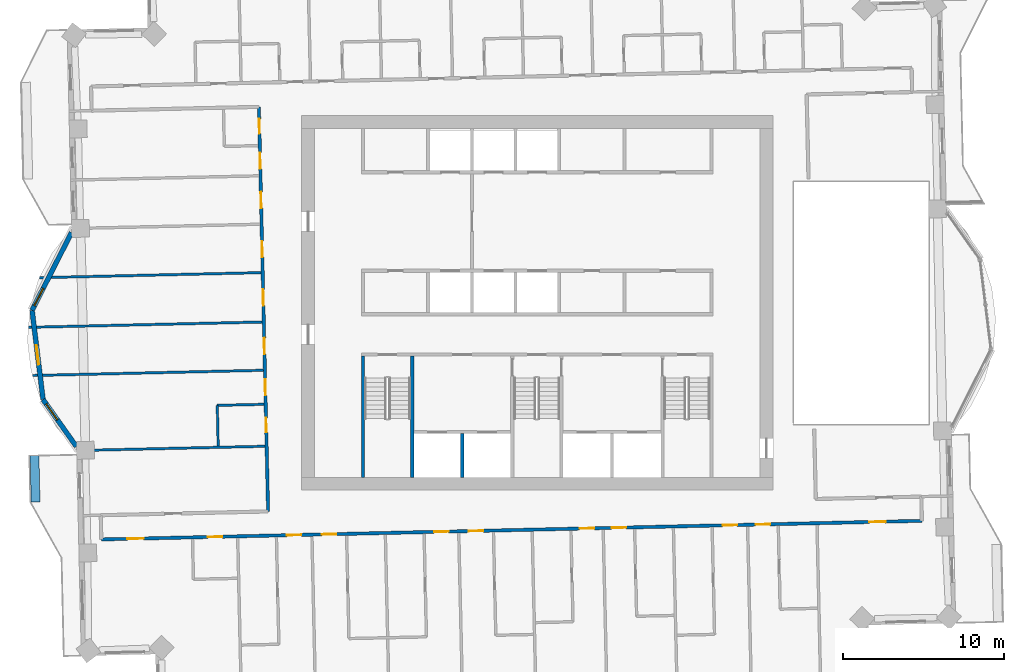
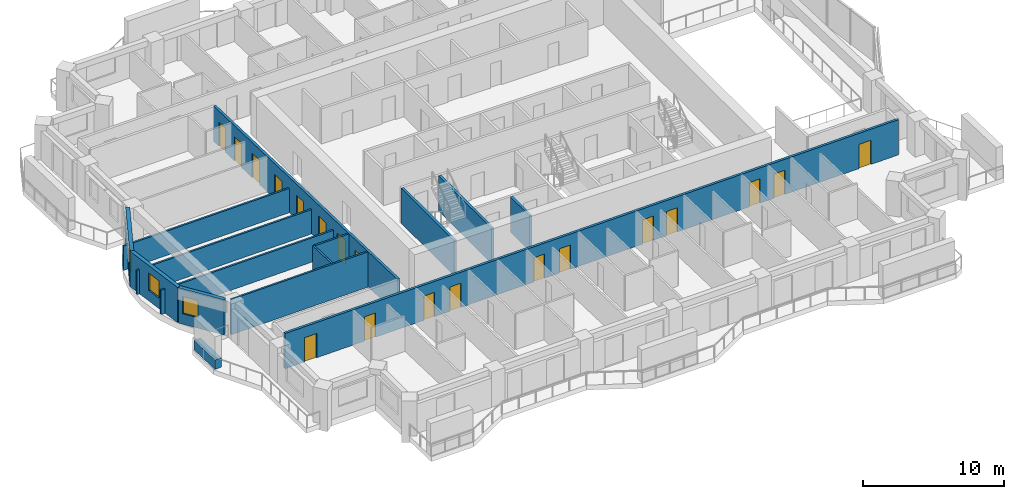
# One storey, part 7 of 17: 19 doors, 15 walls, 3 windows, 22 openings.
"""IFC4 building model written with IfcOpenShell, lengths in metres."""

from ifc_helpers import new_model, si_unit, direction, frame, frame_2d, origin, place, context, subcontext, project, spatial, rectangle, extrude, material, layer, layer_set, type_object, element, fill, save


model = new_model("IFC4")

# Units and contexts
model_context = context("Model", 3, precision=1e-05, world=origin(), true_north=direction((0.0, 1.0)))
body_context = subcontext(model_context, "Body", "Model", "MODEL_VIEW")
ifc_project = project(units=[si_unit("LENGTHUNIT", "METRE"), si_unit("AREAUNIT", "SQUARE_METRE"), si_unit("VOLUMEUNIT", "CUBIC_METRE"), si_unit("PLANEANGLEUNIT", "RADIAN"), si_unit("MASSUNIT", "GRAM", prefix="KILO")], contexts=[model_context])

# Site, building, storey
site_placement = place(None, origin())
site = spatial("IfcSite", under=ifc_project, at=site_placement, CompositionType="ELEMENT")
building_placement = place(site_placement, origin())
building = spatial("IfcBuilding", under=site, at=building_placement, Name="Mangrove Gate Tower", CompositionType="ELEMENT")
storey_placement = place(building_placement, frame((0.0, 0.0, 238.300048828125)))
storey = spatial("IfcBuildingStorey", under=building, at=storey_placement, Name="L60", CompositionType="ELEMENT", Elevation=238.300048828125)

# Walls
ifc_material_1 = material(Name="Concrete C60/75", Category="concrete")
ifc_layer_1 = layer(ifc_material_1, 0.199951171875)
ifc_layer_set_1 = layer_set([ifc_layer_1], Name="Core shaft wall 200 C60/75")
wall_type_1 = type_object("IfcWallType", Name="Core shaft wall 200 C60/75", PredefinedType="SHEAR", material=ifc_layer_set_1)
wall_1_placement = place(storey_placement, frame((-4.64990234375, -10.800048828125, 0.0), z_axis=(0.0, 0.0, 1.0), x_axis=(0.0, 1.0, 0.0)))
element("IfcWall", 1, at=wall_1_placement, inside=storey, type_object=wall_type_1, Name="WALL-L60-CORE-16", PredefinedType="SHEAR", context=body_context, shape_type="SweptSolid", body=[
    extrude(rectangle(XDim=2.699951171875, YDim=0.199951171875, at=frame_2d((1.35009765625, 0.0))), origin(), (0.0, 0.0, 1.0), 3.050048828125),
])
ifc_material_2 = material(Name="Concrete C60/75", Category="concrete")
ifc_layer_2 = layer(ifc_material_2, 0.199951171875)
ifc_layer_set_2 = layer_set([ifc_layer_2], Name="Core stair wall 200 C60/75")
wall_type_2 = type_object("IfcWallType", Name="Core stair wall 200 C60/75", PredefinedType="SHEAR", material=ifc_layer_set_2)
for number, where, z_axis, x_axis, name in (
    (2, (-10.800048828125, -10.800048828125, 0.0), (0.0, 0.0, 1.0), (0.0, 1.0, 0.0), "WALL-L60-CORE-9"),
    (3, (-7.75, -10.800048828125, 0.0), (0.0, 0.0, 1.0), (0.0, 1.0, 0.0), "WALL-L60-CORE-10"),
):
    element("IfcWall", number, at=place(storey_placement, frame(where, z_axis=z_axis, x_axis=x_axis)), inside=storey, type_object=wall_type_2, Name=name, PredefinedType="SHEAR", context=body_context, shape_type="SweptSolid", body=[
        extrude(rectangle(XDim=7.5, YDim=0.199951171875, at=frame_2d((3.75, 0.0))), origin(), (0.0, 0.0, 1.0), 3.050048828125),
    ])

# Wall, openings, doors
ifc_material_3 = material(Name="Gypsum board on steel stud, EI 60", Category="steel")
ifc_layer_3 = layer(ifc_material_3, 0.199951171875)
ifc_layer_set_3 = layer_set([ifc_layer_3], Name="Corridor wall EI 60")
wall_type_3 = type_object("IfcWallType", Name="Corridor wall EI 60", PredefinedType="PARTITIONING", material=ifc_layer_set_3)
wall_2_placement = place(storey_placement, frame((-27.01611328125, -14.64990234375, 0.0), z_axis=(0.0, 0.0, 1.0), x_axis=(0.999742623033, 0.022686729391, 0.0)))
wall_2 = element("IfcWall", 4, at=wall_2_placement, inside=storey, type_object=wall_type_3, Name="WALL-L60-029", PredefinedType="PARTITIONING", context=body_context, shape_type="SweptSolid", body=[
    extrude(rectangle(XDim=50.8583984375, YDim=0.199951171875, at=frame_2d((25.42919921875, 0.0))), origin(), (0.0, 0.0, 1.0), 3.050048828125),
])
opening_1_placement = place(wall_2_placement, frame((1.625, 0.0, 0.0)))
opening_1 = element("IfcOpeningElement", 5, at=opening_1_placement, cuts=wall_2, Name="Opening AD", PredefinedType="OPENING", context=body_context, shape_type="SweptSolid", body=[
    extrude(rectangle(XDim=1.0, YDim=2.10009765625, at=frame_2d((0.5, 1.050048828125))), frame((0.0, 0.10986328125, 0.0), z_axis=(0.0, -1.0, 0.0), x_axis=(1.0, 0.0, 0.0)), (0.0, 0.0, 1.0), 0.219970703125),
])
opening_2_placement = place(wall_2_placement, frame((6.60009765625, 0.0, 0.0)))
opening_2 = element("IfcOpeningElement", 6, at=opening_2_placement, cuts=wall_2, Name="Opening SD", PredefinedType="OPENING", context=body_context, shape_type="SweptSolid", body=[
    extrude(rectangle(XDim=0.89990234375, YDim=2.10009765625, at=frame_2d((0.449951171875, 1.050048828125))), frame((0.0, 0.10986328125, 0.0), z_axis=(0.0, -1.0, 0.0), x_axis=(1.0, 0.0, 0.0)), (0.0, 0.0, 1.0), 0.219970703125),
])
opening_3_placement = place(wall_2_placement, frame((11.5, 0.0, 0.0)))
opening_3 = element("IfcOpeningElement", 7, at=opening_3_placement, cuts=wall_2, Name="Opening BD", PredefinedType="OPENING", context=body_context, shape_type="SweptSolid", body=[
    extrude(rectangle(XDim=0.89990234375, YDim=2.10009765625, at=frame_2d((0.449951171875, 1.050048828125))), frame((0.0, 0.10986328125, 0.0), z_axis=(0.0, -1.0, 0.0), x_axis=(1.0, 0.0, 0.0)), (0.0, 0.0, 1.0), 0.219970703125),
])
opening_4_placement = place(wall_2_placement, frame((13.675048828125, 0.0, 0.0)))
opening_4 = element("IfcOpeningElement", 8, at=opening_4_placement, cuts=wall_2, Name="Opening BD", PredefinedType="OPENING", context=body_context, shape_type="SweptSolid", body=[
    extrude(rectangle(XDim=0.89990234375, YDim=2.10009765625, at=frame_2d((0.449951171875, 1.050048828125))), frame((0.0, 0.10986328125, 0.0), z_axis=(0.0, -1.0, 0.0), x_axis=(1.0, 0.0, 0.0)), (0.0, 0.0, 1.0), 0.219970703125),
])
opening_5_placement = place(wall_2_placement, frame((20.625, 0.0, 0.0)))
opening_5 = element("IfcOpeningElement", 9, at=opening_5_placement, cuts=wall_2, Name="Opening BD", PredefinedType="OPENING", context=body_context, shape_type="SweptSolid", body=[
    extrude(rectangle(XDim=0.89990234375, YDim=2.10009765625, at=frame_2d((0.449951171875, 1.050048828125))), frame((0.0, 0.10986328125, 0.0), z_axis=(0.0, -1.0, 0.0), x_axis=(1.0, 0.0, 0.0)), (0.0, 0.0, 1.0), 0.219970703125),
])
opening_6_placement = place(wall_2_placement, frame((22.77490234375, 0.0, 0.0)))
opening_6 = element("IfcOpeningElement", 10, at=opening_6_placement, cuts=wall_2, Name="Opening BD", PredefinedType="OPENING", context=body_context, shape_type="SweptSolid", body=[
    extrude(rectangle(XDim=0.89990234375, YDim=2.10009765625, at=frame_2d((0.449951171875, 1.050048828125))), frame((0.0, 0.10986328125, 0.0), z_axis=(0.0, -1.0, 0.0), x_axis=(1.0, 0.0, 0.0)), (0.0, 0.0, 1.0), 0.219970703125),
])
opening_7_placement = place(wall_2_placement, frame((29.64990234375, 0.0, 0.0)))
opening_7 = element("IfcOpeningElement", 11, at=opening_7_placement, cuts=wall_2, Name="Opening BD", PredefinedType="OPENING", context=body_context, shape_type="SweptSolid", body=[
    extrude(rectangle(XDim=0.89990234375, YDim=2.10009765625, at=frame_2d((0.449951171875, 1.050048828125))), frame((0.0, 0.10986328125, 0.0), z_axis=(0.0, -1.0, 0.0), x_axis=(1.0, 0.0, 0.0)), (0.0, 0.0, 1.0), 0.219970703125),
])
opening_8_placement = place(wall_2_placement, frame((31.625, 0.0, 0.0)))
opening_8 = element("IfcOpeningElement", 12, at=opening_8_placement, cuts=wall_2, Name="Opening BD", PredefinedType="OPENING", context=body_context, shape_type="SweptSolid", body=[
    extrude(rectangle(XDim=0.89990234375, YDim=2.10009765625, at=frame_2d((0.449951171875, 1.050048828125))), frame((0.0, 0.10986328125, 0.0), z_axis=(0.0, -1.0, 0.0), x_axis=(1.0, 0.0, 0.0)), (0.0, 0.0, 1.0), 0.219970703125),
])
opening_9_placement = place(wall_2_placement, frame((38.5, 0.0, 0.0)))
opening_9 = element("IfcOpeningElement", 13, at=opening_9_placement, cuts=wall_2, Name="Opening BD", PredefinedType="OPENING", context=body_context, shape_type="SweptSolid", body=[
    extrude(rectangle(XDim=0.89990234375, YDim=2.10009765625, at=frame_2d((0.449951171875, 1.050048828125))), frame((0.0, 0.10986328125, 0.0), z_axis=(0.0, -1.0, 0.0), x_axis=(1.0, 0.0, 0.0)), (0.0, 0.0, 1.0), 0.219970703125),
])
opening_10_placement = place(wall_2_placement, frame((40.550048828125, 0.0, 0.0)))
opening_10 = element("IfcOpeningElement", 14, at=opening_10_placement, cuts=wall_2, Name="Opening BD", PredefinedType="OPENING", context=body_context, shape_type="SweptSolid", body=[
    extrude(rectangle(XDim=0.89990234375, YDim=2.10009765625, at=frame_2d((0.449951171875, 1.050048828125))), frame((0.0, 0.10986328125, 0.0), z_axis=(0.0, -1.0, 0.0), x_axis=(1.0, 0.0, 0.0)), (0.0, 0.0, 1.0), 0.219970703125),
])
opening_11_placement = place(wall_2_placement, frame((47.60107421875, 0.0, 0.0)))
opening_11 = element("IfcOpeningElement", 15, at=opening_11_placement, cuts=wall_2, Name="Opening AD", PredefinedType="OPENING", context=body_context, shape_type="SweptSolid", body=[
    extrude(rectangle(XDim=1.0, YDim=2.10009765625, at=frame_2d((0.5, 1.050048828125))), frame((0.0, 0.10986328125, 0.0), z_axis=(0.0, -1.0, 0.0), x_axis=(1.0, 0.0, 0.0)), (0.0, 0.0, 1.0), 0.219970703125),
])
ifc_material_4 = material(Name="Timber door leaf", Category="wood")
door_type_1 = type_object("IfcDoorType", Name="Amenity door 1000", OperationType="SINGLE_SWING_LEFT", PredefinedType="DOOR", material=ifc_material_4)
door_1_placement = place(opening_1_placement, origin())
door_1 = element("IfcDoor", 16, at=door_1_placement, inside=storey, type_object=door_type_1, Name="DOOR-L60-KIT-c1a", OperationType="SINGLE_SWING_LEFT", OverallHeight=2.10009765625, OverallWidth=1.0, PredefinedType="DOOR", context=body_context, shape_type="SweptSolid", body=[
    extrude(rectangle(XDim=1.0, YDim=2.10009765625, at=frame_2d((0.5, 1.050048828125))), frame((0.0, 0.02490234375, 0.0), z_axis=(0.0, -1.0, 0.0), x_axis=(1.0, 0.0, 0.0)), (0.0, 0.0, 1.0), 0.050048828125),
])
fill(opening_1, door_1)
door_2_placement = place(opening_11_placement, origin())
door_2 = element("IfcDoor", 17, at=door_2_placement, inside=storey, type_object=door_type_1, Name="DOOR-L60-STU-c3a", OperationType="SINGLE_SWING_RIGHT", OverallHeight=2.10009765625, OverallWidth=1.0, PredefinedType="DOOR", context=body_context, shape_type="SweptSolid", body=[
    extrude(rectangle(XDim=1.0, YDim=2.10009765625, at=frame_2d((0.5, 1.050048828125))), frame((0.0, 0.02490234375, 0.0), z_axis=(0.0, -1.0, 0.0), x_axis=(1.0, 0.0, 0.0)), (0.0, 0.0, 1.0), 0.050048828125),
])
fill(opening_11, door_2)
ifc_material_5 = material(Name="Timber door leaf", Category="wood")
door_type_2 = type_object("IfcDoorType", Name="Bedroom door 900", OperationType="SINGLE_SWING_LEFT", PredefinedType="DOOR", material=ifc_material_5)
door_3_placement = place(opening_3_placement, origin())
door_3 = element("IfcDoor", 18, at=door_3_placement, inside=storey, type_object=door_type_2, Name="DOOR-L60-BED-c101", OperationType="SINGLE_SWING_LEFT", OverallHeight=2.10009765625, OverallWidth=0.89990234375, PredefinedType="DOOR", context=body_context, shape_type="SweptSolid", body=[
    extrude(rectangle(XDim=0.89990234375, YDim=2.10009765625, at=frame_2d((0.449951171875, 1.050048828125))), frame((0.0, 0.02490234375, 0.0), z_axis=(0.0, -1.0, 0.0), x_axis=(1.0, 0.0, 0.0)), (0.0, 0.0, 1.0), 0.050048828125),
])
fill(opening_3, door_3)
door_4_placement = place(opening_4_placement, origin())
door_4 = element("IfcDoor", 19, at=door_4_placement, inside=storey, type_object=door_type_2, Name="DOOR-L60-BED-c102", OperationType="SINGLE_SWING_RIGHT", OverallHeight=2.10009765625, OverallWidth=0.89990234375, PredefinedType="DOOR", context=body_context, shape_type="SweptSolid", body=[
    extrude(rectangle(XDim=0.89990234375, YDim=2.10009765625, at=frame_2d((0.449951171875, 1.050048828125))), frame((0.0, 0.02490234375, 0.0), z_axis=(0.0, -1.0, 0.0), x_axis=(1.0, 0.0, 0.0)), (0.0, 0.0, 1.0), 0.050048828125),
])
fill(opening_4, door_4)
door_5_placement = place(opening_5_placement, origin())
door_5 = element("IfcDoor", 20, at=door_5_placement, inside=storey, type_object=door_type_2, Name="DOOR-L60-BED-c103", OperationType="SINGLE_SWING_LEFT", OverallHeight=2.10009765625, OverallWidth=0.89990234375, PredefinedType="DOOR", context=body_context, shape_type="SweptSolid", body=[
    extrude(rectangle(XDim=0.89990234375, YDim=2.10009765625, at=frame_2d((0.449951171875, 1.050048828125))), frame((0.0, 0.02490234375, 0.0), z_axis=(0.0, -1.0, 0.0), x_axis=(1.0, 0.0, 0.0)), (0.0, 0.0, 1.0), 0.050048828125),
])
fill(opening_5, door_5)
door_6_placement = place(opening_6_placement, origin())
door_6 = element("IfcDoor", 21, at=door_6_placement, inside=storey, type_object=door_type_2, Name="DOOR-L60-BED-c104", OperationType="SINGLE_SWING_RIGHT", OverallHeight=2.10009765625, OverallWidth=0.89990234375, PredefinedType="DOOR", context=body_context, shape_type="SweptSolid", body=[
    extrude(rectangle(XDim=0.89990234375, YDim=2.10009765625, at=frame_2d((0.449951171875, 1.050048828125))), frame((0.0, 0.02490234375, 0.0), z_axis=(0.0, -1.0, 0.0), x_axis=(1.0, 0.0, 0.0)), (0.0, 0.0, 1.0), 0.050048828125),
])
fill(opening_6, door_6)
door_7_placement = place(opening_7_placement, origin())
door_7 = element("IfcDoor", 22, at=door_7_placement, inside=storey, type_object=door_type_2, Name="DOOR-L60-BED-c205", OperationType="SINGLE_SWING_LEFT", OverallHeight=2.10009765625, OverallWidth=0.89990234375, PredefinedType="DOOR", context=body_context, shape_type="SweptSolid", body=[
    extrude(rectangle(XDim=0.89990234375, YDim=2.10009765625, at=frame_2d((0.449951171875, 1.050048828125))), frame((0.0, 0.02490234375, 0.0), z_axis=(0.0, -1.0, 0.0), x_axis=(1.0, 0.0, 0.0)), (0.0, 0.0, 1.0), 0.050048828125),
])
fill(opening_7, door_7)
door_8_placement = place(opening_8_placement, origin())
door_8 = element("IfcDoor", 23, at=door_8_placement, inside=storey, type_object=door_type_2, Name="DOOR-L60-BED-c206", OperationType="SINGLE_SWING_RIGHT", OverallHeight=2.10009765625, OverallWidth=0.89990234375, PredefinedType="DOOR", context=body_context, shape_type="SweptSolid", body=[
    extrude(rectangle(XDim=0.89990234375, YDim=2.10009765625, at=frame_2d((0.449951171875, 1.050048828125))), frame((0.0, 0.02490234375, 0.0), z_axis=(0.0, -1.0, 0.0), x_axis=(1.0, 0.0, 0.0)), (0.0, 0.0, 1.0), 0.050048828125),
])
fill(opening_8, door_8)
door_9_placement = place(opening_9_placement, origin())
door_9 = element("IfcDoor", 24, at=door_9_placement, inside=storey, type_object=door_type_2, Name="DOOR-L60-BED-c207", OperationType="SINGLE_SWING_LEFT", OverallHeight=2.10009765625, OverallWidth=0.89990234375, PredefinedType="DOOR", context=body_context, shape_type="SweptSolid", body=[
    extrude(rectangle(XDim=0.89990234375, YDim=2.10009765625, at=frame_2d((0.449951171875, 1.050048828125))), frame((0.0, 0.02490234375, 0.0), z_axis=(0.0, -1.0, 0.0), x_axis=(1.0, 0.0, 0.0)), (0.0, 0.0, 1.0), 0.050048828125),
])
fill(opening_9, door_9)
door_10_placement = place(opening_10_placement, origin())
door_10 = element("IfcDoor", 25, at=door_10_placement, inside=storey, type_object=door_type_2, Name="DOOR-L60-BED-c308", OperationType="SINGLE_SWING_RIGHT", OverallHeight=2.10009765625, OverallWidth=0.89990234375, PredefinedType="DOOR", context=body_context, shape_type="SweptSolid", body=[
    extrude(rectangle(XDim=0.89990234375, YDim=2.10009765625, at=frame_2d((0.449951171875, 1.050048828125))), frame((0.0, 0.02490234375, 0.0), z_axis=(0.0, -1.0, 0.0), x_axis=(1.0, 0.0, 0.0)), (0.0, 0.0, 1.0), 0.050048828125),
])
fill(opening_10, door_10)
ifc_material_6 = material(Name="Timber door leaf", Category="wood")
door_type_3 = type_object("IfcDoorType", Name="Service room door 900", OperationType="SINGLE_SWING_LEFT", PredefinedType="DOOR", material=ifc_material_6)
door_11_placement = place(opening_2_placement, origin())
door_11 = element("IfcDoor", 26, at=door_11_placement, inside=storey, type_object=door_type_3, Name="DOOR-L60-LDY-c1a", OperationType="SINGLE_SWING_LEFT", OverallHeight=2.10009765625, OverallWidth=0.89990234375, PredefinedType="DOOR", context=body_context, shape_type="SweptSolid", body=[
    extrude(rectangle(XDim=0.89990234375, YDim=2.10009765625, at=frame_2d((0.449951171875, 1.050048828125))), frame((0.0, 0.02490234375, 0.0), z_axis=(0.0, -1.0, 0.0), x_axis=(1.0, 0.0, 0.0)), (0.0, 0.0, 1.0), 0.050048828125),
])
fill(opening_2, door_11)

wall_3_placement = place(storey_placement, frame((-16.677978515625, -12.9189453125, 0.0), z_axis=(0.0, 0.0, 1.0), x_axis=(-0.022696191528, 0.999742408268, 0.0)))
wall_3 = element("IfcWall", 27, at=wall_3_placement, inside=storey, type_object=wall_type_3, Name="WALL-L60-030", PredefinedType="PARTITIONING", context=body_context, shape_type="SweptSolid", body=[
    extrude(rectangle(XDim=25.07421875, YDim=0.199951171875, at=frame_2d((12.537109375, 0.0))), origin(), (0.0, 0.0, 1.0), 3.050048828125),
])
opening_12_placement = place(wall_3_placement, frame((21.237060546875, 0.0, 0.0)))
opening_12 = element("IfcOpeningElement", 28, at=opening_12_placement, cuts=wall_3, Name="Opening AD", PredefinedType="OPENING", context=body_context, shape_type="SweptSolid", body=[
    extrude(rectangle(XDim=1.0, YDim=2.10009765625, at=frame_2d((0.5, 1.050048828125))), frame((0.0, 0.10986328125, 0.0), z_axis=(0.0, -1.0, 0.0), x_axis=(1.0, 0.0, 0.0)), (0.0, 0.0, 1.0), 0.219970703125),
])
opening_13_placement = place(wall_3_placement, frame((23.424072265625, 0.0, 0.0)))
opening_13 = element("IfcOpeningElement", 29, at=opening_13_placement, cuts=wall_3, Name="Opening SD", PredefinedType="OPENING", context=body_context, shape_type="SweptSolid", body=[
    extrude(rectangle(XDim=0.89990234375, YDim=2.10009765625, at=frame_2d((0.449951171875, 1.050048828125))), frame((0.0, 0.10986328125, 0.0), z_axis=(0.0, -1.0, 0.0), x_axis=(1.0, 0.0, 0.0)), (0.0, 0.0, 1.0), 0.219970703125),
])
opening_14_placement = place(wall_3_placement, frame((18.799072265625, 0.0, 0.0)))
opening_14 = element("IfcOpeningElement", 30, at=opening_14_placement, cuts=wall_3, Name="Opening AD", PredefinedType="OPENING", context=body_context, shape_type="SweptSolid", body=[
    extrude(rectangle(XDim=1.0, YDim=2.10009765625, at=frame_2d((0.5, 1.050048828125))), frame((0.0, 0.10986328125, 0.0), z_axis=(0.0, -1.0, 0.0), x_axis=(1.0, 0.0, 0.0)), (0.0, 0.0, 1.0), 0.219970703125),
])
opening_15_placement = place(wall_3_placement, frame((15.759033203125, 0.0, 0.0)))
opening_15 = element("IfcOpeningElement", 31, at=opening_15_placement, cuts=wall_3, Name="Opening AD", PredefinedType="OPENING", context=body_context, shape_type="SweptSolid", body=[
    extrude(rectangle(XDim=1.0, YDim=2.10009765625, at=frame_2d((0.5, 1.050048828125))), frame((0.0, 0.10986328125, 0.0), z_axis=(0.0, -1.0, 0.0), x_axis=(1.0, 0.0, 0.0)), (0.0, 0.0, 1.0), 0.219970703125),
])
opening_16_placement = place(wall_3_placement, frame((12.760009765625, 0.0, 0.0)))
opening_16 = element("IfcOpeningElement", 32, at=opening_16_placement, cuts=wall_3, Name="Opening AD", PredefinedType="OPENING", context=body_context, shape_type="SweptSolid", body=[
    extrude(rectangle(XDim=1.0, YDim=2.10009765625, at=frame_2d((0.5, 1.050048828125))), frame((0.0, 0.10986328125, 0.0), z_axis=(0.0, -1.0, 0.0), x_axis=(1.0, 0.0, 0.0)), (0.0, 0.0, 1.0), 0.219970703125),
])
opening_17_placement = place(wall_3_placement, frame((9.751953125, 0.0, 0.0)))
opening_17 = element("IfcOpeningElement", 33, at=opening_17_placement, cuts=wall_3, Name="Opening AD", PredefinedType="OPENING", context=body_context, shape_type="SweptSolid", body=[
    extrude(rectangle(XDim=1.0, YDim=2.10009765625, at=frame_2d((0.5, 1.050048828125))), frame((0.0, 0.10986328125, 0.0), z_axis=(0.0, -1.0, 0.0), x_axis=(1.0, 0.0, 0.0)), (0.0, 0.0, 1.0), 0.219970703125),
])
opening_18_placement = place(wall_3_placement, frame((7.198974609375, 0.0, 0.0)))
opening_18 = element("IfcOpeningElement", 34, at=opening_18_placement, cuts=wall_3, Name="Opening AD", PredefinedType="OPENING", context=body_context, shape_type="SweptSolid", body=[
    extrude(rectangle(XDim=1.0, YDim=2.10009765625, at=frame_2d((0.5, 1.050048828125))), frame((0.0, 0.10986328125, 0.0), z_axis=(0.0, -1.0, 0.0), x_axis=(1.0, 0.0, 0.0)), (0.0, 0.0, 1.0), 0.219970703125),
])
opening_19_placement = place(wall_3_placement, frame((4.89892578125, 0.0, 0.0)))
opening_19 = element("IfcOpeningElement", 35, at=opening_19_placement, cuts=wall_3, Name="Opening SD", PredefinedType="OPENING", context=body_context, shape_type="SweptSolid", body=[
    extrude(rectangle(XDim=0.89990234375, YDim=2.10009765625, at=frame_2d((0.449951171875, 1.050048828125))), frame((0.0, 0.10986328125, 0.0), z_axis=(0.0, -1.0, 0.0), x_axis=(1.0, 0.0, 0.0)), (0.0, 0.0, 1.0), 0.219970703125),
])
door_12_placement = place(opening_12_placement, origin())
door_12 = element("IfcDoor", 36, at=door_12_placement, inside=storey, type_object=door_type_1, Name="DOOR-L60-GAM-c5a", OperationType="SINGLE_SWING_LEFT", OverallHeight=2.10009765625, OverallWidth=1.0, PredefinedType="DOOR", context=body_context, shape_type="SweptSolid", body=[
    extrude(rectangle(XDim=1.0, YDim=2.10009765625, at=frame_2d((0.5, 1.050048828125))), frame((0.0, 0.02490234375, 0.0), z_axis=(0.0, -1.0, 0.0), x_axis=(1.0, 0.0, 0.0)), (0.0, 0.0, 1.0), 0.050048828125),
])
fill(opening_12, door_12)
door_13_placement = place(opening_14_placement, origin())
door_13 = element("IfcDoor", 37, at=door_13_placement, inside=storey, type_object=door_type_1, Name="DOOR-L60-STU-c5a", OperationType="SINGLE_SWING_RIGHT", OverallHeight=2.10009765625, OverallWidth=1.0, PredefinedType="DOOR", context=body_context, shape_type="SweptSolid", body=[
    extrude(rectangle(XDim=1.0, YDim=2.10009765625, at=frame_2d((0.5, 1.050048828125))), frame((0.0, 0.02490234375, 0.0), z_axis=(0.0, -1.0, 0.0), x_axis=(1.0, 0.0, 0.0)), (0.0, 0.0, 1.0), 0.050048828125),
])
fill(opening_14, door_13)
door_14_placement = place(opening_15_placement, origin())
door_14 = element("IfcDoor", 38, at=door_14_placement, inside=storey, type_object=door_type_1, Name="DOOR-L60-STU-c5b", OperationType="SINGLE_SWING_LEFT", OverallHeight=2.10009765625, OverallWidth=1.0, PredefinedType="DOOR", context=body_context, shape_type="SweptSolid", body=[
    extrude(rectangle(XDim=1.0, YDim=2.10009765625, at=frame_2d((0.5, 1.050048828125))), frame((0.0, 0.02490234375, 0.0), z_axis=(0.0, -1.0, 0.0), x_axis=(1.0, 0.0, 0.0)), (0.0, 0.0, 1.0), 0.050048828125),
])
fill(opening_15, door_14)
door_15_placement = place(opening_16_placement, origin())
door_15 = element("IfcDoor", 39, at=door_15_placement, inside=storey, type_object=door_type_1, Name="DOOR-L60-STU-c5c", OperationType="SINGLE_SWING_RIGHT", OverallHeight=2.10009765625, OverallWidth=1.0, PredefinedType="DOOR", context=body_context, shape_type="SweptSolid", body=[
    extrude(rectangle(XDim=1.0, YDim=2.10009765625, at=frame_2d((0.5, 1.050048828125))), frame((0.0, 0.02490234375, 0.0), z_axis=(0.0, -1.0, 0.0), x_axis=(1.0, 0.0, 0.0)), (0.0, 0.0, 1.0), 0.050048828125),
])
fill(opening_16, door_15)
door_16_placement = place(opening_17_placement, origin())
door_16 = element("IfcDoor", 40, at=door_16_placement, inside=storey, type_object=door_type_1, Name="DOOR-L60-STU-c5d", OperationType="SINGLE_SWING_LEFT", OverallHeight=2.10009765625, OverallWidth=1.0, PredefinedType="DOOR", context=body_context, shape_type="SweptSolid", body=[
    extrude(rectangle(XDim=1.0, YDim=2.10009765625, at=frame_2d((0.5, 1.050048828125))), frame((0.0, 0.02490234375, 0.0), z_axis=(0.0, -1.0, 0.0), x_axis=(1.0, 0.0, 0.0)), (0.0, 0.0, 1.0), 0.050048828125),
])
fill(opening_17, door_16)
door_17_placement = place(opening_18_placement, origin())
door_17 = element("IfcDoor", 41, at=door_17_placement, inside=storey, type_object=door_type_1, Name="DOOR-L60-LNG-c5b", OperationType="SINGLE_SWING_RIGHT", OverallHeight=2.10009765625, OverallWidth=1.0, PredefinedType="DOOR", context=body_context, shape_type="SweptSolid", body=[
    extrude(rectangle(XDim=1.0, YDim=2.10009765625, at=frame_2d((0.5, 1.050048828125))), frame((0.0, 0.02490234375, 0.0), z_axis=(0.0, -1.0, 0.0), x_axis=(1.0, 0.0, 0.0)), (0.0, 0.0, 1.0), 0.050048828125),
])
fill(opening_18, door_17)
door_18_placement = place(opening_13_placement, origin())
door_18 = element("IfcDoor", 42, at=door_18_placement, inside=storey, type_object=door_type_3, Name="DOOR-L60-LIN-c5a", OperationType="SINGLE_SWING_RIGHT", OverallHeight=2.10009765625, OverallWidth=0.89990234375, PredefinedType="DOOR", context=body_context, shape_type="SweptSolid", body=[
    extrude(rectangle(XDim=0.89990234375, YDim=2.10009765625, at=frame_2d((0.449951171875, 1.050048828125))), frame((0.0, 0.02490234375, 0.0), z_axis=(0.0, -1.0, 0.0), x_axis=(1.0, 0.0, 0.0)), (0.0, 0.0, 1.0), 0.050048828125),
])
fill(opening_13, door_18)
door_19_placement = place(opening_19_placement, origin())
door_19 = element("IfcDoor", 43, at=door_19_placement, inside=storey, type_object=door_type_3, Name="DOOR-L60-AWC-c5a", OperationType="SINGLE_SWING_LEFT", OverallHeight=2.10009765625, OverallWidth=0.89990234375, PredefinedType="DOOR", context=body_context, shape_type="SweptSolid", body=[
    extrude(rectangle(XDim=0.89990234375, YDim=2.10009765625, at=frame_2d((0.449951171875, 1.050048828125))), frame((0.0, 0.02490234375, 0.0), z_axis=(0.0, -1.0, 0.0), x_axis=(1.0, 0.0, 0.0)), (0.0, 0.0, 1.0), 0.050048828125),
])
fill(opening_19, door_19)

# Wall, opening, window
ifc_material_7 = material(Name="Limestone", Category="masonry")
ifc_layer_4 = layer(ifc_material_7, 0.0400390625, Name="Limestone cladding")
ifc_material_8 = material(Name="Ventilated air gap")
ifc_layer_5 = layer(ifc_material_8, 0.0400390625, Name="Ventilated cavity")
ifc_material_9 = material(Name="Mineral wool insulation")
ifc_layer_6 = layer(ifc_material_9, 0.06005859375, Name="Insulation")
ifc_material_10 = material(Name="Breather membrane")
ifc_layer_7 = layer(ifc_material_10, 0.001953125, Name="Breather membrane")
ifc_material_11 = material(Name="Concrete C20/25 blockwork", Category="masonry")
ifc_layer_8 = layer(ifc_material_11, 0.14990234375, Name="Blockwork backing wall")
ifc_material_12 = material(Name="Gypsum plaster")
ifc_layer_9 = layer(ifc_material_12, 0.008056640625, Name="Internal plaster")
ifc_layer_set_4 = layer_set([ifc_layer_4, ifc_layer_5, ifc_layer_6, ifc_layer_7, ifc_layer_8, ifc_layer_9], Name="External wall 300 limestone cladding")
wall_type_4 = type_object("IfcWallType", Name="External wall 300 limestone cladding", PredefinedType="SOLIDWALL", material=ifc_layer_set_4)
wall_4_placement = place(storey_placement, frame((-28.85693359375, 4.363037109375, 0.0), z_axis=(0.0, 0.0, 1.0), x_axis=(-0.45277700056, -0.891623792731, 0.0)))
wall_4 = element("IfcWall", 44, at=wall_4_placement, inside=storey, type_object=wall_type_4, Name="WALL-L60-W9f1", PredefinedType="SOLIDWALL", context=body_context, shape_type="SweptSolid", body=[
    extrude(rectangle(XDim=5.39794921875, YDim=0.300048828125, at=frame_2d((2.698974609375, 0.0))), origin(), (0.0, 0.0, 1.0), 3.050048828125),
])
opening_20_placement = place(wall_4_placement, frame((3.881103515625, 0.0, 0.89990234375)))
opening_20 = element("IfcOpeningElement", 45, at=opening_20_placement, cuts=wall_4, Name="Opening W1", PredefinedType="OPENING", context=body_context, shape_type="SweptSolid", body=[
    extrude(rectangle(XDim=1.199951171875, YDim=1.5, at=frame_2d((0.60009765625, 0.75))), frame((0.0, 0.159912109375, 0.0), z_axis=(0.0, -1.0, 0.0), x_axis=(1.0, 0.0, 0.0)), (0.0, 0.0, 1.0), 0.320068359375),
])
ifc_material_13 = material(Name="Aluminium frame with double-glazed low-e glass", Category="aluminium")
window_type = type_object("IfcWindowType", Name="Side lite 1200x1500", PartitioningType="SINGLE_PANEL", PredefinedType="WINDOW", material=ifc_material_13)
window_1_placement = place(opening_20_placement, origin())
window_1 = element("IfcWindow", 46, at=window_1_placement, inside=storey, type_object=window_type, Name="WIN-L60-W9f1", OverallHeight=1.5, OverallWidth=1.199951171875, PartitioningType="SINGLE_PANEL", PredefinedType="WINDOW", context=body_context, shape_type="SweptSolid", body=[
    extrude(rectangle(XDim=1.199951171875, YDim=1.5, at=frame_2d((0.60009765625, 0.75))), frame((0.0, 0.030029296875, 0.0), z_axis=(0.0, -1.0, 0.0), x_axis=(1.0, 0.0, 0.0)), (0.0, 0.0, 1.0), 0.06005859375),
])
fill(opening_20, window_1)

wall_5_placement = place(storey_placement, frame((-31.301025390625, -0.449951171875, 0.0), z_axis=(0.0, 0.0, 1.0), x_axis=(0.122163831021, -0.992509948761, 0.0)))
wall_5 = element("IfcWall", 47, at=wall_5_placement, inside=storey, type_object=wall_type_4, Name="WALL-L60-W9f2", PredefinedType="SOLIDWALL", context=body_context, shape_type="SweptSolid", body=[
    extrude(rectangle(XDim=5.57373046875, YDim=0.300048828125, at=frame_2d((2.786865234375, 0.0))), origin(), (0.0, 0.0, 1.0), 3.050048828125),
])
opening_21_placement = place(wall_5_placement, frame((2.18701171875, 0.0, 0.89990234375)))
opening_21 = element("IfcOpeningElement", 48, at=opening_21_placement, cuts=wall_5, Name="Opening W1", PredefinedType="OPENING", context=body_context, shape_type="SweptSolid", body=[
    extrude(rectangle(XDim=1.199951171875, YDim=1.5, at=frame_2d((0.60009765625, 0.75))), frame((0.0, 0.159912109375, 0.0), z_axis=(0.0, -1.0, 0.0), x_axis=(1.0, 0.0, 0.0)), (0.0, 0.0, 1.0), 0.320068359375),
])
window_2_placement = place(opening_21_placement, origin())
window_2 = element("IfcWindow", 49, at=window_2_placement, inside=storey, type_object=window_type, Name="WIN-L60-W9f2", OverallHeight=1.5, OverallWidth=1.199951171875, PartitioningType="SINGLE_PANEL", PredefinedType="WINDOW", context=body_context, shape_type="SweptSolid", body=[
    extrude(rectangle(XDim=1.199951171875, YDim=1.5, at=frame_2d((0.60009765625, 0.75))), frame((0.0, 0.030029296875, 0.0), z_axis=(0.0, -1.0, 0.0), x_axis=(1.0, 0.0, 0.0)), (0.0, 0.0, 1.0), 0.06005859375),
])
fill(opening_21, window_2)

wall_6_placement = place(storey_placement, frame((-30.6201171875, -5.98193359375, 0.0), z_axis=(0.0, 0.0, 1.0), x_axis=(0.578108441206, -0.815959943996, 0.0)))
wall_6 = element("IfcWall", 50, at=wall_6_placement, inside=storey, type_object=wall_type_4, Name="WALL-L60-W9f3", PredefinedType="SOLIDWALL", context=body_context, shape_type="SweptSolid", body=[
    extrude(rectangle(XDim=3.56884765625, YDim=0.300048828125, at=frame_2d((1.784423828125, 0.0))), origin(), (0.0, 0.0, 1.0), 3.050048828125),
])
opening_22_placement = place(wall_6_placement, frame((0.337890625, 0.0, 0.89990234375)))
opening_22 = element("IfcOpeningElement", 51, at=opening_22_placement, cuts=wall_6, Name="Opening W1", PredefinedType="OPENING", context=body_context, shape_type="SweptSolid", body=[
    extrude(rectangle(XDim=1.199951171875, YDim=1.5, at=frame_2d((0.60009765625, 0.75))), frame((0.0, 0.159912109375, 0.0), z_axis=(0.0, -1.0, 0.0), x_axis=(1.0, 0.0, 0.0)), (0.0, 0.0, 1.0), 0.320068359375),
])
window_3_placement = place(opening_22_placement, origin())
window_3 = element("IfcWindow", 52, at=window_3_placement, inside=storey, type_object=window_type, Name="WIN-L60-W9f3", OverallHeight=1.5, OverallWidth=1.199951171875, PartitioningType="SINGLE_PANEL", PredefinedType="WINDOW", context=body_context, shape_type="SweptSolid", body=[
    extrude(rectangle(XDim=1.199951171875, YDim=1.5, at=frame_2d((0.60009765625, 0.75))), frame((0.0, 0.030029296875, 0.0), z_axis=(0.0, -1.0, 0.0), x_axis=(1.0, 0.0, 0.0)), (0.0, 0.0, 1.0), 0.06005859375),
])
fill(opening_22, window_3)

# Walls
ifc_material_14 = material(Name="Gypsum board on steel stud, EI 60", Category="steel")
ifc_layer_10 = layer(ifc_material_14, 0.14990234375)
ifc_layer_set_5 = layer_set([ifc_layer_10], Name="Party wall 150 EI 60")
wall_type_5 = type_object("IfcWallType", Name="Party wall 150 EI 60", PredefinedType="PARTITIONING", material=ifc_layer_set_5)
wall_7_placement = place(storey_placement, frame((-28.240966796875, -9.135986328125, 0.0), z_axis=(0.0, 0.0, 1.0), x_axis=(0.999742533279, 0.022690684282, 0.0)))
element("IfcWall", 53, at=wall_7_placement, inside=storey, type_object=wall_type_5, Name="WALL-L60-036", PredefinedType="PARTITIONING", context=body_context, shape_type="SweptSolid", body=[
    extrude(rectangle(XDim=11.372802734375, YDim=0.14990234375, at=frame_2d((5.6865234375, 0.0))), origin(), (0.0, 0.0, 1.0), 3.050048828125),
])
wall_8_placement = place(storey_placement, frame((-19.77099609375, -8.864013671875, 0.0), z_axis=(0.0, 0.0, 1.0), x_axis=(-0.022532486354, 0.9997461113, 0.0)))
element("IfcWall", 54, at=wall_8_placement, inside=storey, type_object=wall_type_5, Name="WALL-L60-037", PredefinedType="PARTITIONING", context=body_context, shape_type="SweptSolid", body=[
    extrude(rectangle(XDim=2.524658203125, YDim=0.14990234375, at=frame_2d((1.26220703125, 0.0))), origin(), (0.0, 0.0, 1.0), 3.050048828125),
])
wall_9_placement = place(storey_placement, frame((-19.8291015625, -6.344970703125, 0.0), z_axis=(0.0, 0.0, 1.0), x_axis=(0.999741618182, 0.022730967319, 0.0)))
element("IfcWall", 55, at=wall_9_placement, inside=storey, type_object=wall_type_5, Name="WALL-L60-038", PredefinedType="PARTITIONING", context=body_context, shape_type="SweptSolid", body=[
    extrude(rectangle(XDim=2.89990234375, YDim=0.14990234375, at=frame_2d((1.449951171875, 0.0))), origin(), (0.0, 0.0, 1.0), 3.050048828125),
])
wall_10_placement = place(storey_placement, frame((-31.27197265625, -4.493896484375, 0.0), z_axis=(0.0, 0.0, 1.0), x_axis=(0.999743244098, 0.022659344212, 0.0)))
element("IfcWall", 56, at=wall_10_placement, inside=storey, type_object=wall_type_5, Name="WALL-L60-039", PredefinedType="PARTITIONING", context=body_context, shape_type="SweptSolid", body=[
    extrude(rectangle(XDim=14.297607421875, YDim=0.14990234375, at=frame_2d((7.14892578125, 0.0))), origin(), (0.0, 0.0, 1.0), 2.099853515625),
])
wall_11_placement = place(storey_placement, frame((-31.531982421875, -1.509033203125, 0.0), z_axis=(0.0, 0.0, 1.0), x_axis=(0.999742035573, 0.022712602409, 0.0)))
element("IfcWall", 57, at=wall_11_placement, inside=storey, type_object=wall_type_5, Name="WALL-L60-040", PredefinedType="PARTITIONING", context=body_context, shape_type="SweptSolid", body=[
    extrude(rectangle(XDim=14.48974609375, YDim=0.14990234375, at=frame_2d((7.244873046875, 0.0))), origin(), (0.0, 0.0, 1.0), 2.099853515625),
])
wall_12_placement = place(storey_placement, frame((-30.85205078125, 1.56689453125, 0.0), z_axis=(0.0, 0.0, 1.0), x_axis=(0.999742156495, 0.022707279151, 0.0)))
element("IfcWall", 58, at=wall_12_placement, inside=storey, type_object=wall_type_5, Name="WALL-L60-041", PredefinedType="PARTITIONING", context=body_context, shape_type="SweptSolid", body=[
    extrude(rectangle(XDim=13.74072265625, YDim=0.14990234375, at=frame_2d((6.870361328125, 0.0))), origin(), (0.0, 0.0, 1.0), 2.099853515625),
])
ifc_material_15 = material(Name="Concrete C32/40", Category="concrete")
ifc_layer_11 = layer(ifc_material_15, 0.199951171875, Name="Planter trough wall")
ifc_material_16 = material(Name="Bituminous waterproofing membrane")
ifc_layer_12 = layer(ifc_material_16, 0.0048828125, Name="Waterproofing")
ifc_material_17 = material(Name="Drainage board and gravel")
ifc_layer_13 = layer(ifc_material_17, 0.044921875, Name="Drainage layer")
ifc_material_18 = material(Name="Planting soil")
ifc_layer_14 = layer(ifc_material_18, 0.300048828125, Name="Growing medium")
ifc_layer_set_6 = layer_set([ifc_layer_11, ifc_layer_12, ifc_layer_13, ifc_layer_14], Name="Planter wall 550 C32/40")
wall_type_6 = type_object("IfcWallType", Name="Planter wall 550 C32/40", PredefinedType="USERDEFINED", material=ifc_layer_set_6)
wall_13_placement = place(storey_placement, frame((-31.083984375, -12.322021484375, 0.0), z_axis=(0.0, 0.0, 1.0), x_axis=(-0.022929749512, 0.99973707873, 0.0)))
element("IfcWall", 59, at=wall_13_placement, inside=storey, type_object=wall_type_6, Name="PLANTER L60 W1.1", ObjectType="PLANTER", PredefinedType="USERDEFINED", context=body_context, shape_type="SweptSolid", body=[
    extrude(rectangle(XDim=2.874755859375, YDim=0.550048828125, at=frame_2d((1.4375, 0.0))), origin(), (0.0, 0.0, 1.0), 0.800048828125),
])

save(model, "model.ifc")
